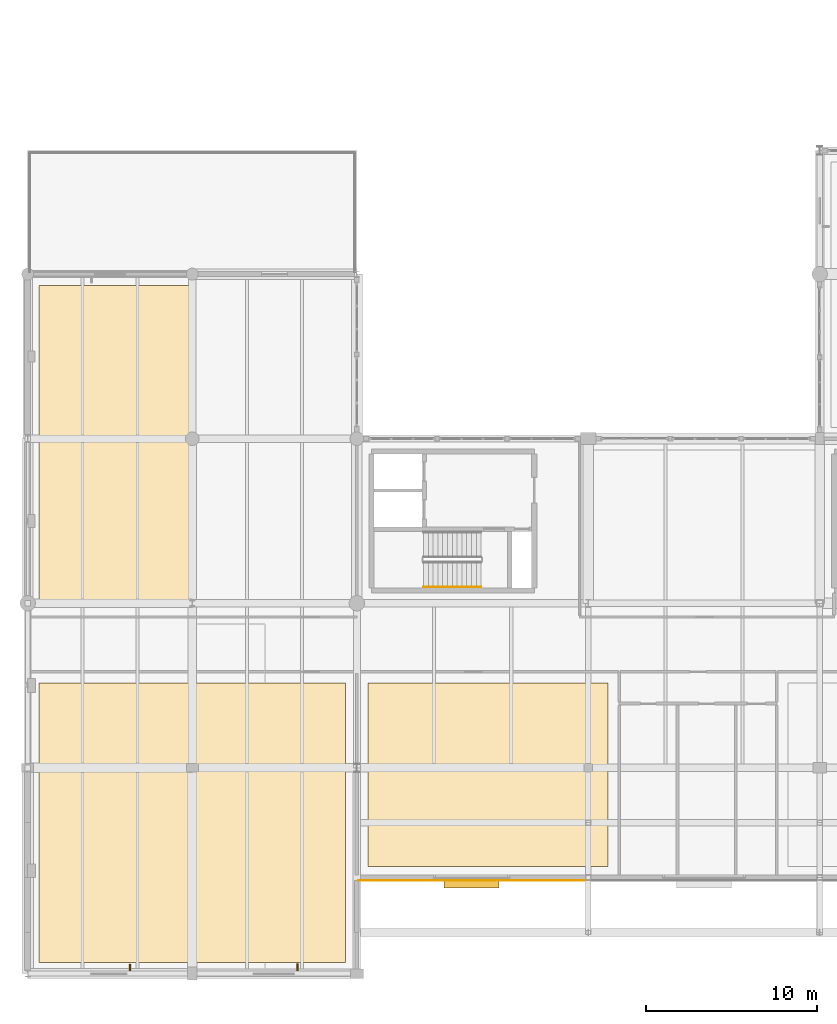
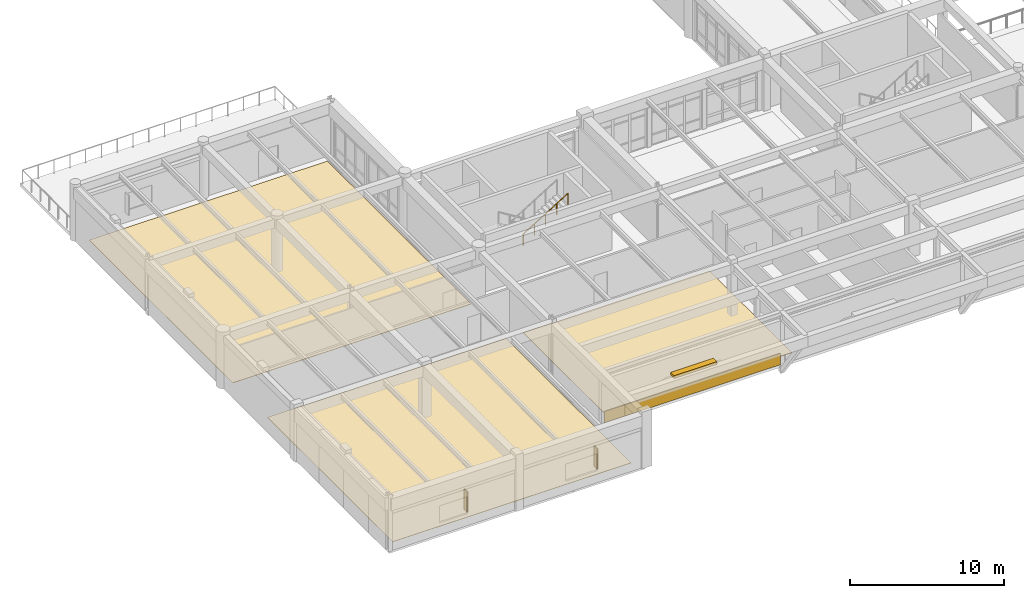
# One storey, part 71 of 80: 4 coverings, 3 shading devices, 1 railing.
"""IFC4 building model written with IfcOpenShell, lengths in metres."""

import ifcopenshell
import ifcopenshell.guid

model = None  # the IFC model being written
_history = None  # IfcOwnerHistory: only IFC2X3 demands one
_inside = {}  # id of a spatial element -> (the spatial element, [elements in it])
_under = {}  # id of a project, library or spatial element -> (it, [spatial elements below it])
_declared = {}  # id of a project -> (the project, [libraries it declares])
_typed = {}  # id of a type object -> (the type object, [elements of that type])
_made_of = {}  # id of a material, layer set ... -> (it, [elements and type objects made of it])


def new_model(schema):
    """Start an empty IFC model of exactly this schema.

    Asked for "IFC4X3", IfcOpenShell would pick the latest addendum, in which some entities
    have other attributes; the version numbers below select the first issue.
    IFC2X3 requires an IfcOwnerHistory on every rooted entity: one is made here for all.
    """
    global model, _history
    if schema == "IFC4X3":
        model = ifcopenshell.file(schema_version=(4, 3, 0, 0))
    else:
        model = ifcopenshell.file(schema=schema)
    _inside.clear()
    _under.clear()
    _declared.clear()
    _typed.clear()
    _made_of.clear()
    _history = None
    if model.schema == "IFC2X3":
        org = make("IfcOrganization", Name="unknown")
        user = make(
            "IfcPersonAndOrganization",
            ThePerson=make("IfcPerson", FamilyName="unknown"),
            TheOrganization=org,
        )
        app = make(
            "IfcApplication",
            ApplicationDeveloper=org,
            Version="unknown",
            ApplicationFullName="unknown",
            ApplicationIdentifier="unknown",
        )
        _history = make(
            "IfcOwnerHistory",
            OwningUser=user,
            OwningApplication=app,
            ChangeAction="ADDED",
            CreationDate=0,
        )
    return model


def make(cls, **values):
    """One entity of the class cls with the attributes given. An attribute that is None is left unset."""
    return model.create_entity(
        cls, **{name: value for name, value in values.items() if value is not None}
    )


def rooted(cls, **values):
    """An entity with a GlobalId (a new one), such as an element, a storey or a relation."""
    return make(cls, GlobalId=ifcopenshell.guid.new(), OwnerHistory=_history, **values)


def si_unit(unit_type, name, prefix=None):
    """IfcSIUnit, for example si_unit("LENGTHUNIT", "METRE", prefix="MILLI")."""
    return make("IfcSIUnit", UnitType=unit_type, Prefix=prefix, Name=name)


def assignment(units):
    """IfcUnitAssignment: the units of a project."""
    return None if units is None else make("IfcUnitAssignment", Units=units)


def point(xyz):
    """IfcCartesianPoint."""
    return None if xyz is None else make("IfcCartesianPoint", Coordinates=xyz)


def direction(xyz):
    """IfcDirection."""
    return None if xyz is None else make("IfcDirection", DirectionRatios=xyz)


def frame(location, z_axis=None, x_axis=None):
    """IfcAxis2Placement3D, a coordinate frame: its origin and axes. An axis left out is left unset."""
    return make(
        "IfcAxis2Placement3D",
        Location=point(location),
        Axis=direction(z_axis),
        RefDirection=direction(x_axis),
    )


def frame_2d(location, x_axis=None):
    """IfcAxis2Placement2D, a coordinate frame in the plane: its origin and x axis."""
    return make(
        "IfcAxis2Placement2D", Location=point(location), RefDirection=direction(x_axis)
    )


def origin():
    """The frame at (0, 0, 0) with its axes left unset."""
    return frame((0.0, 0.0, 0.0))


def origin_2d():
    """The frame at (0, 0) in the plane with its x axis left unset."""
    return frame_2d((0.0, 0.0))


def place(relative_to, where):
    """IfcLocalPlacement: puts the frame where relative to a parent placement (None: the world)."""
    return make(
        "IfcLocalPlacement", PlacementRelTo=relative_to, RelativePlacement=where
    )


def context(
    kind, dimensions, precision=None, world=None, true_north=None, identifier=None
):
    """IfcGeometricRepresentationContext, for example the 3D "Model" context."""
    return make(
        "IfcGeometricRepresentationContext",
        ContextIdentifier=identifier,
        ContextType=kind,
        CoordinateSpaceDimension=dimensions,
        Precision=precision,
        WorldCoordinateSystem=world,
        TrueNorth=true_north,
    )


def subcontext(parent, identifier, kind, view, scale=None):
    """IfcGeometricRepresentationSubContext, for example "Body" below "Model"."""
    return make(
        "IfcGeometricRepresentationSubContext",
        ContextIdentifier=identifier,
        ContextType=kind,
        ParentContext=parent,
        TargetScale=scale,
        TargetView=view,
    )


def project(units=None, contexts=None):
    """IfcProject with its units and contexts."""
    return rooted(
        "IfcProject",
        Name="project",
        RepresentationContexts=contexts,
        UnitsInContext=assignment(units),
    )


def spatial(cls, under=None, at=None, **own):
    """A site, building, storey or space (cls), placed at a placement, below another one or the project."""
    s = rooted(cls, ObjectPlacement=at, **own)
    if under is not None:
        _under.setdefault(under.id(), (under, []))[1].append(s)
    return s


def polyline(points):
    """IfcPolyline through the points."""
    return make("IfcPolyline", Points=[point(p) for p in points])


def profile(cls, at=None, kind="AREA", **sizes):
    """A parametric profile (cls). Its sizes go by their IFC names, for example OverallWidth=200.0."""
    return make(cls, ProfileType=kind, Position=at, **sizes)


def rectangle(**sizes):
    """IfcRectangleProfileDef."""
    return profile("IfcRectangleProfileDef", **sizes)


def circle(**sizes):
    """IfcCircleProfileDef."""
    return profile("IfcCircleProfileDef", **sizes)


def outline(outer, holes=None, kind="AREA"):
    """IfcArbitraryClosedProfileDef: a profile drawn as a closed curve; with holes, ...WithVoids."""
    if holes is None:
        return make("IfcArbitraryClosedProfileDef", ProfileType=kind, OuterCurve=outer)
    return make(
        "IfcArbitraryProfileDefWithVoids",
        ProfileType=kind,
        OuterCurve=outer,
        InnerCurves=holes,
    )


def extrude(swept, where, along, depth):
    """IfcExtrudedAreaSolid: the profile swept, set in the frame where, extruded along a direction by depth."""
    return make(
        "IfcExtrudedAreaSolid",
        SweptArea=swept,
        Position=where,
        ExtrudedDirection=direction(along),
        Depth=depth,
    )


def shape(context_of_items, identifier, shape_type, items):
    """IfcShapeRepresentation: the items that make up one representation, for example the "Body"."""
    return make(
        "IfcShapeRepresentation",
        ContextOfItems=context_of_items,
        RepresentationIdentifier=identifier,
        RepresentationType=shape_type,
        Items=items,
    )


def material(Name=None, Category=None):
    """IfcMaterial."""
    return make("IfcMaterial", Name=Name, Category=Category)


def layer(
    of_material, thickness, ventilated=None, Name=None, Category=None, Priority=None
):
    """IfcMaterialLayer: one layer of a wall or slab, of a material (None: an air gap)."""
    return make(
        "IfcMaterialLayer",
        Material=of_material,
        LayerThickness=thickness,
        IsVentilated=ventilated,
        Name=Name,
        Category=Category,
        Priority=Priority,
    )


def layer_set(layers, Name=None):
    """IfcMaterialLayerSet."""
    return make("IfcMaterialLayerSet", MaterialLayers=layers, LayerSetName=Name)


def made_of(thing, what):
    """Note that an element or type object is made of a material, layer set ...; save() writes the relation."""
    if what is not None:
        _made_of.setdefault(what.id(), (what, []))[1].append(thing)
    return thing


def type_object(cls, material=None, **own):
    """A type object (cls), such as IfcWallType, which elements share."""
    return made_of(rooted(cls, **own), material)


def element(
    cls,
    number,
    at=None,
    inside=None,
    cuts=None,
    type_object=None,
    material=None,
    context=None,
    identifier="Body",
    shape_type=None,
    held_by="IfcProductDefinitionShape",
    body=None,
    shapes=None,
    **own,
):
    """One element of the class cls, such as IfcWall. Its Tag is "e" and its number.

    at: its placement. inside: the storey or other place that contains it. cuts: it is an
    opening in that element (IfcRelVoidsElement). A single representation is given by context,
    identifier, shape_type and body (its items); several are given by shapes. held_by: the class
    of the entity that holds the representations. save() writes the other relations.
    """
    e = rooted(cls, Tag="e%d" % number, ObjectPlacement=at, **own)
    if body is not None:
        shapes = [shape(context, identifier, shape_type, body)]
    if shapes is not None:
        e.Representation = make(held_by, Representations=shapes)
    if inside is not None:
        _inside.setdefault(inside.id(), (inside, []))[1].append(e)
    if cuts is not None:
        rooted(
            "IfcRelVoidsElement", RelatingBuildingElement=cuts, RelatedOpeningElement=e
        )
    if type_object is not None:
        _typed.setdefault(type_object.id(), (type_object, []))[1].append(e)
    return made_of(e, material)


def aggregate(whole, parts):
    """IfcRelAggregates: a whole, such as a stair, and the parts it consists of."""
    return rooted("IfcRelAggregates", RelatingObject=whole, RelatedObjects=parts)


def save(model, path):
    """Write the relations noted so far, then the file.

    IfcRelAggregates (storeys below a building ...), IfcRelContainedInSpatialStructure (elements
    in a storey), IfcRelDefinesByType, IfcRelAssociatesMaterial and IfcRelDeclares: one each for
    every whole, place, type object, material and project.
    """
    for whole, parts in _under.values():
        aggregate(whole, parts)
    for where, things in _inside.values():
        rooted(
            "IfcRelContainedInSpatialStructure",
            RelatedElements=things,
            RelatingStructure=where,
        )
    for kind, things in _typed.values():
        rooted("IfcRelDefinesByType", RelatedObjects=things, RelatingType=kind)
    for what, things in _made_of.values():
        rooted("IfcRelAssociatesMaterial", RelatedObjects=things, RelatingMaterial=what)
    for by, libraries in _declared.values():
        rooted("IfcRelDeclares", RelatingContext=by, RelatedDefinitions=libraries)
    model.write(path)


model = new_model("IFC4")

# Units and contexts
model_context = context("Model", 3, precision=1e-05, world=origin(), true_north=direction((0.0, 1.0)))
body_context = subcontext(model_context, "Body", "Model", "MODEL_VIEW")
ifc_project = project(units=[si_unit("LENGTHUNIT", "METRE"), si_unit("AREAUNIT", "SQUARE_METRE"), si_unit("VOLUMEUNIT", "CUBIC_METRE"), si_unit("PLANEANGLEUNIT", "RADIAN"), si_unit("MASSUNIT", "GRAM", prefix="KILO")], contexts=[model_context])

# Site, building, storey
site_placement = place(None, origin())
site = spatial("IfcSite", under=ifc_project, at=site_placement, CompositionType="ELEMENT")
building_placement = place(site_placement, origin())
building = spatial("IfcBuilding", under=site, at=building_placement, Name="Fikremerkos Civic Library", CompositionType="ELEMENT")
storey_placement = place(building_placement, frame((0.0, 0.0, 9.89990234375)))
storey = spatial("IfcBuildingStorey", under=building, at=storey_placement, Name="L02", CompositionType="ELEMENT", Elevation=9.89990234375)

# Shading devices
ifc_material_1 = material(Name="Bronze anodized aluminium", Category="aluminium")
shading_device_type_1 = type_object("IfcShadingDeviceType", Name="Horizontal sun-control louvre bank SHD-01", PredefinedType="JALOUSIE", material=ifc_material_1)
shading_device_placement = place(storey_placement, frame((25.89404296875, 5.22998046875, 2.0703125), z_axis=(0.0, 0.0, 1.0), x_axis=(1.0, 0.0, 0.0)))
element("IfcShadingDevice", 1, at=shading_device_placement, inside=storey, type_object=shading_device_type_1, Name="Sun-control louvre hood SHD-01 L02 #36", PredefinedType="JALOUSIE", context=body_context, shape_type="SweptSolid", body=[
    extrude(rectangle(XDim=3.199951171875, YDim=0.449951171875, at=origin_2d()), origin(), (0.0, 0.0, 1.0), 0.219970703125),
])
shading_device_type_2 = type_object("IfcShadingDeviceType", Name="Perforated bronze vertical solar fin SHD-02", PredefinedType="USERDEFINED", material=ifc_material_1)
for number, where, z_axis, x_axis, name in (
    (2, (15.72998046875, 0.360107421875, 0.824951171875), (0.0, 0.0, 1.0), (1.0, 0.0, 0.0), "Vertical bronze solar fin SHD-02 L02 #37"),
    (3, (5.967529296875, 0.35009765625, 0.824951171875), (0.0, 0.0, 1.0), (1.0, 0.0, 0.0), "Vertical bronze solar fin SHD-02 L02 #38"),
):
    element("IfcShadingDevice", number, at=place(storey_placement, frame(where, z_axis=z_axis, x_axis=x_axis)), inside=storey, type_object=shading_device_type_2, Name=name, ObjectType="SOLAR FIN", PredefinedType="USERDEFINED", context=body_context, shape_type="SweptSolid", body=[
        extrude(rectangle(XDim=0.080078125, YDim=0.39990234375, at=origin_2d()), origin(), (0.0, 0.0, 1.0), 1.60009765625),
    ])

# Coverings
ifc_material_2 = material(Name="Polished basalt terrazzo", Category="masonry")
ifc_layer_1 = layer(ifc_material_2, 0.030029296875, Name="Polished basalt terrazzo")
ifc_layer_set_1 = layer_set([ifc_layer_1], Name="Polished basalt terrazzo")
covering_type_1 = type_object("IfcCoveringType", Name="Polished basalt terrazzo flooring FLR-01", PredefinedType="FLOORING", material=ifc_layer_set_1)
covering_1_placement = place(storey_placement, origin())
element("IfcCovering", 4, at=covering_1_placement, inside=storey, type_object=covering_type_1, Name="Terrazzo floor finish Curatorial Research Office", PredefinedType="FLOORING", context=body_context, shape_type="SweptSolid", body=[
    extrude(outline(polyline([(0.64990234375, 16.949951171875), (18.550048828125, 16.949951171875), (18.550048828125, 0.64990234375), (0.64990234375, 0.64990234375), (0.64990234375, 16.949951171875)])), origin(), (0.0, 0.0, 1.0), 0.030029296875),
])
covering_2_placement = place(storey_placement, origin())
element("IfcCovering", 5, at=covering_2_placement, inside=storey, type_object=covering_type_1, Name="Terrazzo floor finish Map and Cartography Room", PredefinedType="FLOORING", context=body_context, shape_type="SweptSolid", body=[
    extrude(outline(polyline([(0.64990234375, 40.14990234375), (18.550048828125, 40.14990234375), (18.550048828125, 21.449951171875), (0.64990234375, 21.449951171875), (0.64990234375, 40.14990234375)])), origin(), (0.0, 0.0, 1.0), 0.030029296875),
])
covering_3_placement = place(storey_placement, origin())
element("IfcCovering", 6, at=covering_3_placement, inside=storey, type_object=covering_type_1, Name="Terrazzo floor finish Maker Studio and Fabrication Lab", PredefinedType="FLOORING", context=body_context, shape_type="SweptSolid", body=[
    extrude(outline(polyline([(19.85009765625, 16.949951171875), (33.85009765625, 16.949951171875), (33.85009765625, 6.25), (19.85009765625, 6.25), (19.85009765625, 16.949951171875)])), origin(), (0.0, 0.0, 1.0), 0.030029296875),
])
ifc_material_3 = material(Name="Precast concrete C40/50", Category="concrete")
ifc_layer_2 = layer(ifc_material_3, 0.044921875, Name="Precast concrete C40/50")
ifc_layer_set_2 = layer_set([ifc_layer_2], Name="Precast concrete C40/50")
covering_type_2 = type_object("IfcCoveringType", Name="Precast basalt facade cladding CLD-01", PredefinedType="CLADDING", material=ifc_layer_set_2)
covering_4_placement = place(storey_placement, frame((25.89404296875, 5.427978515625, 0.050048828125), z_axis=(0.0, 0.0, 1.0), x_axis=(1.0, 0.0, 0.0)))
element("IfcCovering", 7, at=covering_4_placement, inside=storey, type_object=covering_type_2, Name="Basalt spandrel cladding CLD-01 L02 #14", PredefinedType="CLADDING", context=body_context, shape_type="SweptSolid", body=[
    extrude(rectangle(XDim=13.2080078125, YDim=0.044921875, at=origin_2d()), origin(), (0.0, 0.0, 1.0), 0.89990234375),
])

# Railing
ifc_material_4 = material(Name="Brushed stainless steel", Category="steel")
railing_type = type_object("IfcRailingType", Name="Wall and flight handrail HRL-01 900", PredefinedType="HANDRAIL", material=ifc_material_4)
railing_placement = place(storey_placement, frame((23.090087890625, 22.550048828125, 2.423095703125)))
element("IfcRailing", 8, at=railing_placement, inside=storey, type_object=railing_type, Name="L02 ST-K1 stair handrail 2", PredefinedType="HANDRAIL", context=body_context, shape_type="SweptSolid", body=[
    extrude(circle(Radius=0.02392578125, at=origin_2d()), frame((0.0, 0.0, 0.8759765625), z_axis=(0.850606129759, 0.0, 0.525803396734), x_axis=(0.0, 1.0, 0.0)), (0.0, 0.0, 1.0), 3.949951171875),
    extrude(circle(Radius=0.02099609375, at=origin_2d()), origin(), (0.0, 0.0, 1.0), 0.851806640625),
    extrude(circle(Radius=0.02099609375, at=origin_2d()), frame((0.83984375, 0.0, 0.519287109375)), (0.0, 0.0, 1.0), 0.851806640625),
    extrude(circle(Radius=0.02099609375, at=origin_2d()), frame((1.679931640625, 0.0, 1.03857421875)), (0.0, 0.0, 1.0), 0.851806640625),
    extrude(circle(Radius=0.02099609375, at=origin_2d()), frame((2.52001953125, 0.0, 1.5576171875)), (0.0, 0.0, 1.0), 0.851806640625),
    extrude(circle(Radius=0.02099609375, at=origin_2d()), frame((3.35986328125, 0.0, 2.076904296875)), (0.0, 0.0, 1.0), 0.851806640625),
])

save(model, "model.ifc")
